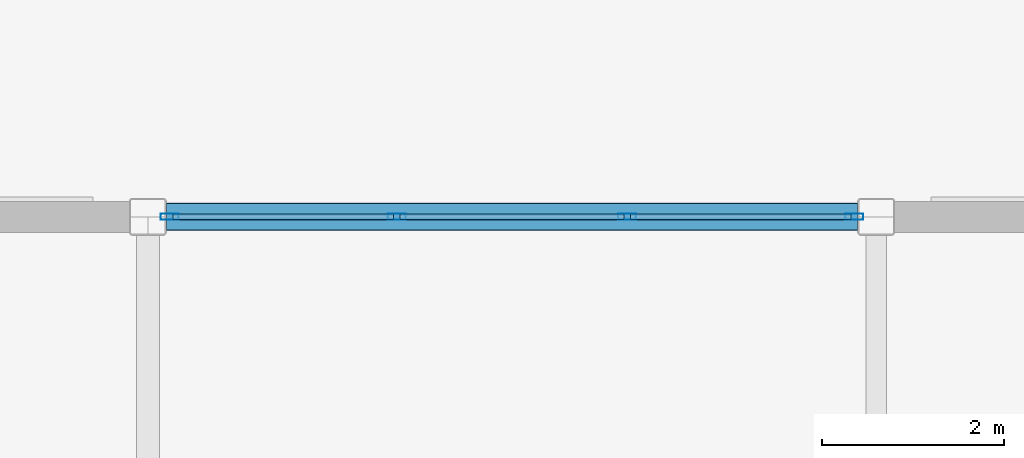
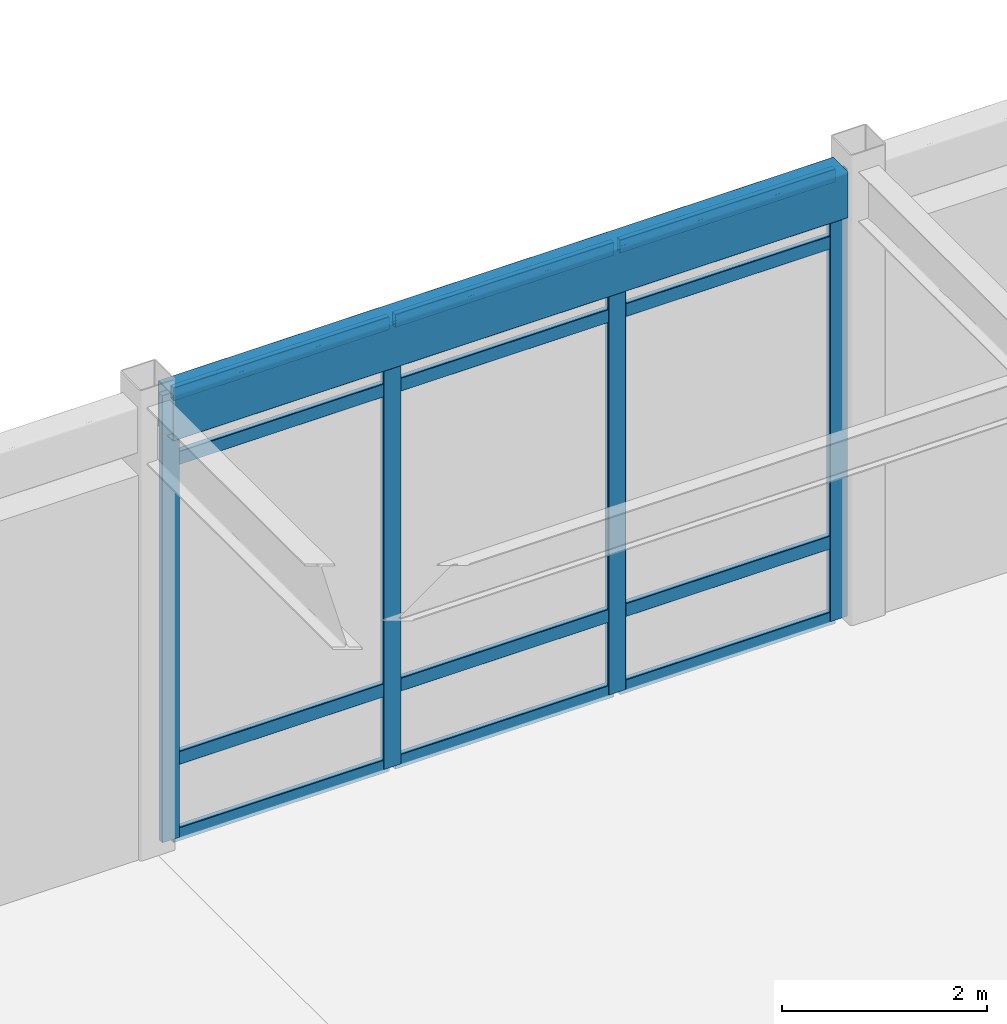
# One storey, part 75 of 128: 16 members, 1 beam, 1 element without a shape of its own.
"""IFC4 building model written with IfcOpenShell, lengths in metres."""

from ifc_helpers import new_model, si_unit, direction, frame, origin, origin_2d, place, context, subcontext, project, spatial, hollow_rectangle, extrude, material, material_profile, profile_set, type_object, element, aggregate, save


model = new_model("IFC4")

# Units and contexts
model_context = context("Model", 3, precision=1e-05, world=origin(), true_north=direction((0.0, 1.0)))
body_context = subcontext(model_context, "Body", "Model", "MODEL_VIEW")
ifc_project = project(units=[si_unit("LENGTHUNIT", "METRE"), si_unit("AREAUNIT", "SQUARE_METRE"), si_unit("VOLUMEUNIT", "CUBIC_METRE"), si_unit("PLANEANGLEUNIT", "RADIAN"), si_unit("MASSUNIT", "GRAM", prefix="KILO")], contexts=[model_context])

# Site, building, storey
site_placement = place(None, origin())
site = spatial("IfcSite", under=ifc_project, at=site_placement, CompositionType="ELEMENT")
building_placement = place(site_placement, origin())
building = spatial("IfcBuilding", under=site, at=building_placement, Name="Solmirada Galleria", CompositionType="ELEMENT")
storey_placement = place(building_placement, origin())
storey = spatial("IfcBuildingStorey", under=building, at=storey_placement, Name="L00", CompositionType="ELEMENT", Elevation=0.0)

# Beam
ifc_material_1 = material(Name="Steel S355 / ASTM A500 Grade C", Category="steel")
ifc_material_profile_1 = material_profile(ifc_material_1, hollow_rectangle(XDim=0.304931640625, YDim=0.55908203125, WallThickness=0.01171875, InnerFilletRadius=0.01171875, OuterFilletRadius=0.023681640625, at=origin_2d()), Name="HSS22X12X1/2")
ifc_profile_set_1 = profile_set([ifc_material_profile_1], Name="Steel S355 / ASTM A500 Grade C")
beam_type = type_object("IfcBeamType", Name="BM-SPAND-W21", PredefinedType="SPANDREL", material=ifc_profile_set_1)
beam_placement = place(storey_placement, frame((80.202880859375, 120.0, 5.1005859375), z_axis=(1.0, 0.0, 0.0), x_axis=(0.0, 1.0, 0.0)))
element("IfcBeam", 1, at=beam_placement, inside=storey, type_object=beam_type, Name="Primary beam L01 X(80..88, 120)", PredefinedType="SPANDREL", context=body_context, shape_type="SweptSolid", body=[
    extrude(hollow_rectangle(XDim=0.304931640625, YDim=0.55908203125, WallThickness=0.01171875, InnerFilletRadius=0.01171875, OuterFilletRadius=0.023681640625, at=origin_2d()), origin(), (0.0, 0.0, 1.0), 7.59423828125),
])

# Curtain wall, members
ifc_material_2 = material(Name="Impact-resistant low-E double glazing", Category="glass")
curtain_wall_type = type_object("IfcCurtainWallType", Name="CW-FZ4-L00-B3-L076", PredefinedType="NOTDEFINED", material=ifc_material_2)
curtain_wall_placement = place(storey_placement, origin())
curtain_wall = element("IfcCurtainWall", 2, at=curtain_wall_placement, inside=storey, type_object=curtain_wall_type, Name="Terrace and arcade storefront CW-L00-009", PredefinedType="NOTDEFINED")
ifc_material_3 = material(Name="Anodised aluminium framing", Category="aluminium")
ifc_material_profile_2 = material_profile(ifc_material_3, hollow_rectangle(XDim=0.070068359375, YDim=0.199951171875, WallThickness=0.004150390625, InnerFilletRadius=0.004150390625, OuterFilletRadius=0.00830078125, at=origin_2d()), Name="ALU-MULL-200X70")
ifc_profile_set_2 = profile_set([ifc_material_profile_2], Name="Anodised aluminium framing")
member_type_1 = type_object("IfcMemberType", Name="CW-MULL-200", PredefinedType="MULLION", material=ifc_profile_set_2)
member_1_placement = place(storey_placement, frame((80.239990234375, 120.0, 0.0), z_axis=(0.0, 0.0, 1.0), x_axis=(0.0, 1.0, 0.0)))
member_1 = element("IfcMember", 3, at=member_1_placement, type_object=member_type_1, Name="CW04 mullion 1", PredefinedType="MULLION", context=body_context, shape_type="SweptSolid", body=[
    extrude(hollow_rectangle(XDim=0.070068359375, YDim=0.199951171875, WallThickness=0.004150390625, InnerFilletRadius=0.004150390625, OuterFilletRadius=0.00830078125, at=origin_2d()), origin(), (0.0, 0.0, 1.0), 5.320068359375),
])
member_2_placement = place(storey_placement, frame((82.735107421875, 120.0, 0.0), z_axis=(0.0, 0.0, 1.0), x_axis=(0.0, 1.0, 0.0)))
member_2 = element("IfcMember", 4, at=member_2_placement, type_object=member_type_1, Name="CW04 mullion 2", PredefinedType="MULLION", context=body_context, shape_type="SweptSolid", body=[
    extrude(hollow_rectangle(XDim=0.070068359375, YDim=0.199951171875, WallThickness=0.004150390625, InnerFilletRadius=0.004150390625, OuterFilletRadius=0.00830078125, at=origin_2d()), origin(), (0.0, 0.0, 1.0), 5.320068359375),
])
member_3_placement = place(storey_placement, frame((85.264892578125, 120.0, 0.0), z_axis=(0.0, 0.0, 1.0), x_axis=(0.0, 1.0, 0.0)))
member_3 = element("IfcMember", 5, at=member_3_placement, type_object=member_type_1, Name="CW04 mullion 3", PredefinedType="MULLION", context=body_context, shape_type="SweptSolid", body=[
    extrude(hollow_rectangle(XDim=0.070068359375, YDim=0.199951171875, WallThickness=0.004150390625, InnerFilletRadius=0.004150390625, OuterFilletRadius=0.00830078125, at=origin_2d()), origin(), (0.0, 0.0, 1.0), 5.320068359375),
])
member_4_placement = place(storey_placement, frame((87.760009765625, 120.0, 0.0), z_axis=(0.0, 0.0, 1.0), x_axis=(0.0, 1.0, 0.0)))
member_4 = element("IfcMember", 6, at=member_4_placement, type_object=member_type_1, Name="CW04 mullion 4", PredefinedType="MULLION", context=body_context, shape_type="SweptSolid", body=[
    extrude(hollow_rectangle(XDim=0.070068359375, YDim=0.199951171875, WallThickness=0.004150390625, InnerFilletRadius=0.004150390625, OuterFilletRadius=0.00830078125, at=origin_2d()), origin(), (0.0, 0.0, 1.0), 5.320068359375),
])
ifc_material_profile_3 = material_profile(ifc_material_3, hollow_rectangle(XDim=0.06494140625, YDim=0.159912109375, WallThickness=0.00390625, InnerFilletRadius=0.00390625, OuterFilletRadius=0.007568359375, at=origin_2d()), Name="ALU-TRAN-160X65")
ifc_profile_set_3 = profile_set([ifc_material_profile_3], Name="Anodised aluminium framing")
member_type_2 = type_object("IfcMemberType", Name="CW-TRAN-160", PredefinedType="USERDEFINED", material=ifc_profile_set_3)
member_5_placement = place(storey_placement, frame((80.27490234375, 120.0, 0.032470703125), z_axis=(1.0, 0.0, 0.0), x_axis=(0.0, 1.0, 0.0)))
member_5 = element("IfcMember", 7, at=member_5_placement, type_object=member_type_2, Name="CW04 transom 1.1", ObjectType="TRANSOM", PredefinedType="USERDEFINED", context=body_context, shape_type="SweptSolid", body=[
    extrude(hollow_rectangle(XDim=0.06494140625, YDim=0.159912109375, WallThickness=0.00390625, InnerFilletRadius=0.00390625, OuterFilletRadius=0.007568359375, at=origin_2d()), origin(), (0.0, 0.0, 1.0), 2.425048828125),
])
member_6_placement = place(storey_placement, frame((80.27490234375, 120.0, 0.93994140625), z_axis=(1.0, 0.0, 0.0), x_axis=(0.0, 1.0, 0.0)))
member_6 = element("IfcMember", 8, at=member_6_placement, type_object=member_type_2, Name="CW04 transom 1.2", ObjectType="TRANSOM", PredefinedType="USERDEFINED", context=body_context, shape_type="SweptSolid", body=[
    extrude(hollow_rectangle(XDim=0.06494140625, YDim=0.159912109375, WallThickness=0.00390625, InnerFilletRadius=0.00390625, OuterFilletRadius=0.007568359375, at=origin_2d()), origin(), (0.0, 0.0, 1.0), 2.425048828125),
])
member_7_placement = place(storey_placement, frame((80.27490234375, 120.0, 4.510009765625), z_axis=(1.0, 0.0, 0.0), x_axis=(0.0, 1.0, 0.0)))
member_7 = element("IfcMember", 9, at=member_7_placement, type_object=member_type_2, Name="CW04 transom 1.3", ObjectType="TRANSOM", PredefinedType="USERDEFINED", context=body_context, shape_type="SweptSolid", body=[
    extrude(hollow_rectangle(XDim=0.06494140625, YDim=0.159912109375, WallThickness=0.00390625, InnerFilletRadius=0.00390625, OuterFilletRadius=0.007568359375, at=origin_2d()), origin(), (0.0, 0.0, 1.0), 2.425048828125),
])
member_8_placement = place(storey_placement, frame((80.27490234375, 120.0, 5.28759765625), z_axis=(1.0, 0.0, 0.0), x_axis=(0.0, 1.0, 0.0)))
member_8 = element("IfcMember", 10, at=member_8_placement, type_object=member_type_2, Name="CW04 transom 1.4", ObjectType="TRANSOM", PredefinedType="USERDEFINED", context=body_context, shape_type="SweptSolid", body=[
    extrude(hollow_rectangle(XDim=0.06494140625, YDim=0.159912109375, WallThickness=0.00390625, InnerFilletRadius=0.00390625, OuterFilletRadius=0.007568359375, at=origin_2d()), origin(), (0.0, 0.0, 1.0), 2.425048828125),
])
member_9_placement = place(storey_placement, frame((82.77001953125, 120.0, 0.032470703125), z_axis=(1.0, 0.0, 0.0), x_axis=(0.0, 1.0, 0.0)))
member_9 = element("IfcMember", 11, at=member_9_placement, type_object=member_type_2, Name="CW04 transom 2.1", ObjectType="TRANSOM", PredefinedType="USERDEFINED", context=body_context, shape_type="SweptSolid", body=[
    extrude(hollow_rectangle(XDim=0.06494140625, YDim=0.159912109375, WallThickness=0.00390625, InnerFilletRadius=0.00390625, OuterFilletRadius=0.007568359375, at=origin_2d()), origin(), (0.0, 0.0, 1.0), 2.4599609375),
])
member_10_placement = place(storey_placement, frame((82.77001953125, 120.0, 0.93994140625), z_axis=(1.0, 0.0, 0.0), x_axis=(0.0, 1.0, 0.0)))
member_10 = element("IfcMember", 12, at=member_10_placement, type_object=member_type_2, Name="CW04 transom 2.2", ObjectType="TRANSOM", PredefinedType="USERDEFINED", context=body_context, shape_type="SweptSolid", body=[
    extrude(hollow_rectangle(XDim=0.06494140625, YDim=0.159912109375, WallThickness=0.00390625, InnerFilletRadius=0.00390625, OuterFilletRadius=0.007568359375, at=origin_2d()), origin(), (0.0, 0.0, 1.0), 2.4599609375),
])
member_11_placement = place(storey_placement, frame((82.77001953125, 120.0, 4.510009765625), z_axis=(1.0, 0.0, 0.0), x_axis=(0.0, 1.0, 0.0)))
member_11 = element("IfcMember", 13, at=member_11_placement, type_object=member_type_2, Name="CW04 transom 2.3", ObjectType="TRANSOM", PredefinedType="USERDEFINED", context=body_context, shape_type="SweptSolid", body=[
    extrude(hollow_rectangle(XDim=0.06494140625, YDim=0.159912109375, WallThickness=0.00390625, InnerFilletRadius=0.00390625, OuterFilletRadius=0.007568359375, at=origin_2d()), origin(), (0.0, 0.0, 1.0), 2.4599609375),
])
member_12_placement = place(storey_placement, frame((82.77001953125, 120.0, 5.28759765625), z_axis=(1.0, 0.0, 0.0), x_axis=(0.0, 1.0, 0.0)))
member_12 = element("IfcMember", 14, at=member_12_placement, type_object=member_type_2, Name="CW04 transom 2.4", ObjectType="TRANSOM", PredefinedType="USERDEFINED", context=body_context, shape_type="SweptSolid", body=[
    extrude(hollow_rectangle(XDim=0.06494140625, YDim=0.159912109375, WallThickness=0.00390625, InnerFilletRadius=0.00390625, OuterFilletRadius=0.007568359375, at=origin_2d()), origin(), (0.0, 0.0, 1.0), 2.4599609375),
])
member_13_placement = place(storey_placement, frame((85.300048828125, 120.0, 0.032470703125), z_axis=(1.0, 0.0, 0.0), x_axis=(0.0, 1.0, 0.0)))
member_13 = element("IfcMember", 15, at=member_13_placement, type_object=member_type_2, Name="CW04 transom 3.1", ObjectType="TRANSOM", PredefinedType="USERDEFINED", context=body_context, shape_type="SweptSolid", body=[
    extrude(hollow_rectangle(XDim=0.06494140625, YDim=0.159912109375, WallThickness=0.00390625, InnerFilletRadius=0.00390625, OuterFilletRadius=0.007568359375, at=origin_2d()), origin(), (0.0, 0.0, 1.0), 2.425048828125),
])
member_14_placement = place(storey_placement, frame((85.300048828125, 120.0, 0.93994140625), z_axis=(1.0, 0.0, 0.0), x_axis=(0.0, 1.0, 0.0)))
member_14 = element("IfcMember", 16, at=member_14_placement, type_object=member_type_2, Name="CW04 transom 3.2", ObjectType="TRANSOM", PredefinedType="USERDEFINED", context=body_context, shape_type="SweptSolid", body=[
    extrude(hollow_rectangle(XDim=0.06494140625, YDim=0.159912109375, WallThickness=0.00390625, InnerFilletRadius=0.00390625, OuterFilletRadius=0.007568359375, at=origin_2d()), origin(), (0.0, 0.0, 1.0), 2.425048828125),
])
member_15_placement = place(storey_placement, frame((85.300048828125, 120.0, 4.510009765625), z_axis=(1.0, 0.0, 0.0), x_axis=(0.0, 1.0, 0.0)))
member_15 = element("IfcMember", 17, at=member_15_placement, type_object=member_type_2, Name="CW04 transom 3.3", ObjectType="TRANSOM", PredefinedType="USERDEFINED", context=body_context, shape_type="SweptSolid", body=[
    extrude(hollow_rectangle(XDim=0.06494140625, YDim=0.159912109375, WallThickness=0.00390625, InnerFilletRadius=0.00390625, OuterFilletRadius=0.007568359375, at=origin_2d()), origin(), (0.0, 0.0, 1.0), 2.425048828125),
])
member_16_placement = place(storey_placement, frame((85.300048828125, 120.0, 5.28759765625), z_axis=(1.0, 0.0, 0.0), x_axis=(0.0, 1.0, 0.0)))
member_16 = element("IfcMember", 18, at=member_16_placement, type_object=member_type_2, Name="CW04 transom 3.4", ObjectType="TRANSOM", PredefinedType="USERDEFINED", context=body_context, shape_type="SweptSolid", body=[
    extrude(hollow_rectangle(XDim=0.06494140625, YDim=0.159912109375, WallThickness=0.00390625, InnerFilletRadius=0.00390625, OuterFilletRadius=0.007568359375, at=origin_2d()), origin(), (0.0, 0.0, 1.0), 2.425048828125),
])
aggregate(curtain_wall, [member_1, member_2, member_3, member_4, member_5, member_6, member_7, member_8, member_9, member_10, member_11, member_12, member_13, member_14, member_15, member_16])

save(model, "model.ifc")
